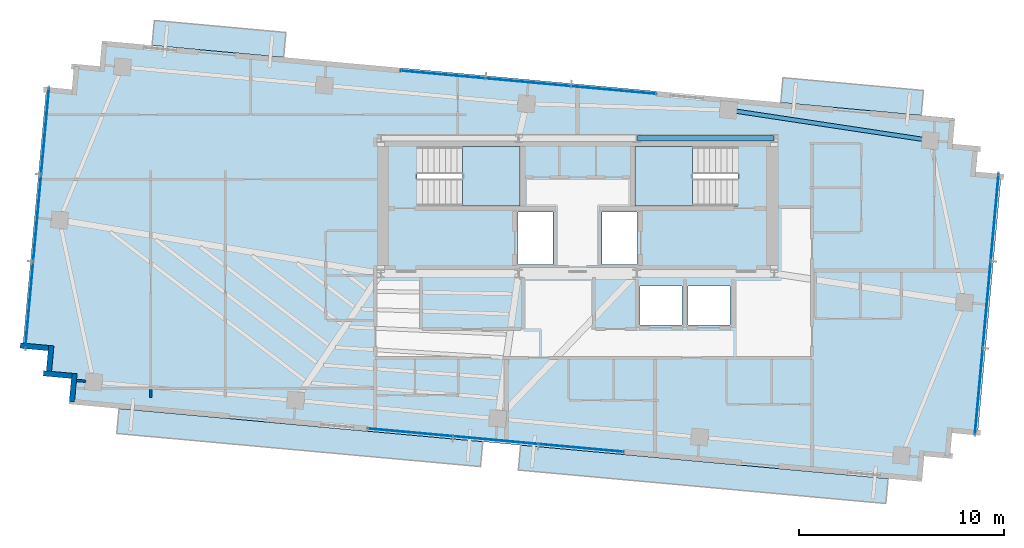
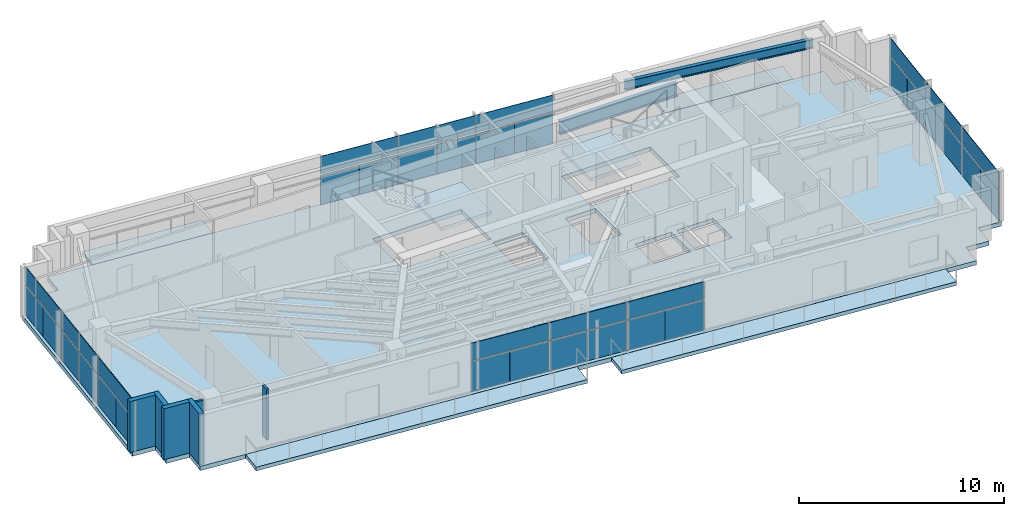
# One storey, part 15 of 22: 36 plates, 7 slabs, 6 walls, 2 beams, 6 elements without a shape of their own.
"""IFC4 building model written with IfcOpenShell, lengths in metres."""

from ifc_helpers import new_model, si_unit, direction, frame, frame_2d, origin, origin_2d, place, context, subcontext, project, spatial, polyline, rectangle, i_section, outline, extrude, source, transform, mapped, material, layer, layer_set, material_profile, profile_set, type_object, type_shapes, element, aggregate, save


model = new_model("IFC4")

# Units and contexts
model_context = context("Model", 3, precision=1e-05, world=origin(), true_north=direction((0.0, 1.0)))
body_context = subcontext(model_context, "Body", "Model", "MODEL_VIEW")
ifc_project = project(units=[si_unit("LENGTHUNIT", "METRE"), si_unit("AREAUNIT", "SQUARE_METRE"), si_unit("VOLUMEUNIT", "CUBIC_METRE"), si_unit("PLANEANGLEUNIT", "RADIAN"), si_unit("MASSUNIT", "GRAM", prefix="KILO")], contexts=[model_context])

# Site, building, storey
site_placement = place(None, origin())
site = spatial("IfcSite", under=ifc_project, at=site_placement, CompositionType="ELEMENT")
building_placement = place(site_placement, origin())
building = spatial("IfcBuilding", under=site, at=building_placement, Name="Astriad Promenade Condominiums", CompositionType="ELEMENT")
storey_placement = place(building_placement, frame((0.0, 0.0, 233.10009765625)))
storey = spatial("IfcBuildingStorey", under=building, at=storey_placement, Name="L67", CompositionType="ELEMENT", Elevation=233.10009765625)

# Beams
ifc_material_1 = material(Name="Steel ASTM A992 Grade 50", Category="steel")
ifc_material_profile_1 = material_profile(ifc_material_1, i_section(OverallWidth=0.267822265625, OverallDepth=0.76953125, WebThickness=0.015625, FlangeThickness=0.025390625, FilletRadius=0.021484375, at=origin_2d()), Name="W30X132")
ifc_profile_set_1 = profile_set([ifc_material_profile_1], Name="Steel ASTM A992 Grade 50")
beam_type_1 = type_object("IfcBeamType", Name="STEEL FLOOR GIRDER W30X132", PredefinedType="BEAM", material=ifc_profile_set_1)
shared_shape_1 = source(origin(), body_context, "Body", "SweptSolid", [
    extrude(i_section(OverallWidth=0.267822265625, OverallDepth=0.76953125, WebThickness=0.015625, FlangeThickness=0.025390625, FilletRadius=0.021484375, at=origin_2d()), origin(), (0.0, 0.0, 1.0), 6.64013671875),
])
type_shapes(beam_type_1, [shared_shape_1])
beam_1_placement = place(storey_placement, frame((38.919921875, 24.0, 2.655029296875), z_axis=(1.0, 0.0, 0.0), x_axis=(0.0, 1.0, 0.0)))
element("IfcBeam", 1, at=beam_1_placement, inside=storey, type_object=beam_type_1, Name="Core Ring Beam CG-N3-L67", PredefinedType="BEAM", context=body_context, shape_type="MappedRepresentation", body=[
    mapped(shared_shape_1, transform((0.0, 0.0, 0.0), scale=1.0)),
])
ifc_material_profile_2 = material_profile(ifc_material_1, i_section(OverallWidth=0.210693359375, OverallDepth=0.53955078125, WebThickness=0.01171875, FlangeThickness=0.018798828125, FilletRadius=0.0166015625, at=origin_2d()), Name="W21X73")
ifc_profile_set_2 = profile_set([ifc_material_profile_2], Name="Steel ASTM A992 Grade 50")
beam_type_2 = type_object("IfcBeamType", Name="STEEL SPANDREL BEAM W21X73", PredefinedType="SPANDREL", material=ifc_profile_set_2)
shared_shape_2 = source(origin(), body_context, "Body", "SweptSolid", [
    extrude(i_section(OverallWidth=0.210693359375, OverallDepth=0.53955078125, WebThickness=0.01171875, FlangeThickness=0.018798828125, FilletRadius=0.0166015625, at=origin_2d()), origin(), (0.0, 0.0, 1.0), 9.890869140625),
])
type_shapes(beam_type_2, [shared_shape_2])
beam_2_placement = place(storey_placement, frame((53.1787109375, 23.899658203125, 2.77001953125), z_axis=(-0.988827455442, 0.149064628143, 0.0), x_axis=(-0.149064628143, -0.988827455442, 0.0)))
element("IfcBeam", 2, at=beam_2_placement, inside=storey, type_object=beam_type_2, Name="Perimeter Spandrel Beam SP-N4-L67", PredefinedType="SPANDREL", context=body_context, shape_type="MappedRepresentation", body=[
    mapped(shared_shape_2, transform((0.0, 0.0, 0.0), scale=1.0)),
])

# Slab
ifc_material_2 = material(Name="Concrete C50/60", Category="concrete")
ifc_layer_1 = layer(ifc_material_2, 0.260009765625)
ifc_layer_set_1 = layer_set([ifc_layer_1], Name="Concrete C50/60")
slab_type_1 = type_object("IfcSlabType", Name="CONCRETE TOWER FLOOR SLAB 260", PredefinedType="FLOOR", material=ifc_layer_set_1)
slab_1_placement = place(storey_placement, frame((0.0, 0.0, -0.260009765625)))
element("IfcSlab", 3, at=slab_1_placement, inside=storey, type_object=slab_type_1, Name="Structural Floor Slab (L67)", PredefinedType="FLOOR", context=body_context, shape_type="SweptSolid", body=[
    extrude(outline(polyline([(11.179443359375, 11.03076171875), (52.807373046875, 7.242431640625), (52.920654296875, 8.4873046875), (54.16552734375, 8.3740234375), (54.27880859375, 9.618896484375), (55.523681640625, 9.505615234375), (56.68359375, 22.2529296875), (55.43896484375, 22.3662109375), (55.55224609375, 23.611083984375), (54.307373046875, 23.724365234375), (54.420654296875, 24.96923828125), (12.79248046875, 28.757568359375), (12.679443359375, 27.5126953125), (11.4345703125, 27.6259765625), (11.3212890625, 26.381103515625), (10.076416015625, 26.494384765625), (8.916259765625, 13.7470703125), (10.1611328125, 13.6337890625), (10.0478515625, 12.388916015625), (11.292724609375, 12.275634765625), (11.179443359375, 11.03076171875)]), holes=[polyline([(28.175048828125, 20.699951171875), (33.175048828125, 20.699951171875), (33.175048828125, 23.60009765625), (28.175048828125, 23.60009765625), (28.175048828125, 20.699951171875)]), polyline([(38.824951171875, 20.699951171875), (43.824951171875, 20.699951171875), (43.824951171875, 23.60009765625), (38.824951171875, 23.60009765625), (38.824951171875, 20.699951171875)]), polyline([(33.10009765625, 17.85009765625), (34.800048828125, 17.85009765625), (34.800048828125, 20.39990234375), (33.10009765625, 20.39990234375), (33.10009765625, 17.85009765625)]), polyline([(37.199951171875, 17.85009765625), (38.89990234375, 17.85009765625), (38.89990234375, 20.39990234375), (37.199951171875, 20.39990234375), (37.199951171875, 17.85009765625)]), polyline([(39.050048828125, 14.89990234375), (41.10009765625, 14.89990234375), (41.10009765625, 16.800048828125), (39.050048828125, 16.800048828125), (39.050048828125, 14.89990234375)]), polyline([(41.39990234375, 14.89990234375), (43.449951171875, 14.89990234375), (43.449951171875, 16.800048828125), (41.39990234375, 16.800048828125), (41.39990234375, 14.89990234375)])]), origin(), (0.0, 0.0, 1.0), 0.260009765625),
])

# Stair, slab
stair_type = type_object("IfcStairType", Name="STR-CORE-1350", PredefinedType="HALF_TURN_STAIR", material=ifc_material_2)
stair_1_placement = place(storey_placement, origin())
stair_1 = element("IfcStair", 4, at=stair_1_placement, inside=storey, type_object=stair_type, Name="L67 Enclosed Core Exit Stair ST-1", PredefinedType="HALF_TURN_STAIR")
ifc_layer_2 = layer(ifc_material_2, 0.219970703125)
ifc_layer_set_2 = layer_set([ifc_layer_2], Name="Concrete C50/60")
slab_type_2 = type_object("IfcSlabType", Name="SLB-LANDING-220", PredefinedType="LANDING", material=ifc_layer_set_2)
slab_2_placement = place(storey_placement, frame((0.0, 0.0, 1.449951171875)))
slab_2 = element("IfcSlab", 5, at=slab_2_placement, type_object=slab_type_2, Name="ST-1 landing 1", PredefinedType="LANDING", context=body_context, shape_type="SweptSolid", body=[
    extrude(outline(polyline([(30.389892578125, 20.699951171875), (33.199951171875, 20.699951171875), (33.199951171875, 23.60009765625), (30.389892578125, 23.60009765625), (30.389892578125, 20.699951171875)])), origin(), (0.0, 0.0, 1.0), 0.199951171875),
])
aggregate(stair_1, [slab_2])

stair_2_placement = place(storey_placement, origin())
stair_2 = element("IfcStair", 6, at=stair_2_placement, inside=storey, type_object=stair_type, Name="L67 Enclosed Core Exit Stair ST-2", PredefinedType="HALF_TURN_STAIR")
slab_3_placement = place(storey_placement, frame((0.0, 0.0, 1.449951171875)))
slab_3 = element("IfcSlab", 7, at=slab_3_placement, type_object=slab_type_2, Name="ST-2 landing 1", PredefinedType="LANDING", context=body_context, shape_type="SweptSolid", body=[
    extrude(outline(polyline([(41.610107421875, 23.60009765625), (38.800048828125, 23.60009765625), (38.800048828125, 20.699951171875), (41.610107421875, 20.699951171875), (41.610107421875, 23.60009765625)])), origin(), (0.0, 0.0, 1.0), 0.199951171875),
])
aggregate(stair_2, [slab_3])

# Slabs
ifc_material_3 = material(Name="Precast concrete C50/60", Category="concrete")
ifc_layer_3 = layer(ifc_material_3, 0.219970703125)
ifc_layer_set_3 = layer_set([ifc_layer_3], Name="Precast concrete C50/60")
slab_type_3 = type_object("IfcSlabType", Name="WHITE PRECAST CONCRETE WAVE BALCONY SLAB 220", PredefinedType="FLOOR", material=ifc_layer_set_3)
slab_4_placement = place(storey_placement, frame((0.0, 0.0, -0.22021484375)))
element("IfcSlab", 8, at=slab_4_placement, inside=storey, type_object=slab_type_3, Name="White Precast Wave Balcony Slab BAL-L67-SW", PredefinedType="FLOOR", context=body_context, shape_type="SweptSolid", body=[
    extrude(outline(polyline([(31.262451171875, 7.97802734375), (13.5078125, 9.593994140625), (13.6181640625, 10.806884765625), (31.372802734375, 9.191162109375), (31.262451171875, 7.97802734375)])), origin(), (0.0, 0.0, 1.0), 0.22021484375),
])
slab_5_placement = place(storey_placement, frame((0.0, 0.0, -0.22021484375)))
element("IfcSlab", 9, at=slab_5_placement, inside=storey, type_object=slab_type_3, Name="White Precast Wave Balcony Slab BAL-L67-SE", PredefinedType="FLOOR", context=body_context, shape_type="SweptSolid", body=[
    extrude(outline(polyline([(51.046630859375, 6.177490234375), (33.109619140625, 7.81005859375), (33.22021484375, 9.02294921875), (51.156982421875, 7.390625), (51.046630859375, 6.177490234375)])), origin(), (0.0, 0.0, 1.0), 0.22021484375),
])
slab_6_placement = place(storey_placement, frame((0.0, 0.0, -0.22021484375)))
element("IfcSlab", 10, at=slab_6_placement, inside=storey, type_object=slab_type_3, Name="White Precast Wave Balcony Slab BAL-L67-NW", PredefinedType="FLOOR", context=body_context, shape_type="SweptSolid", body=[
    extrude(outline(polyline([(15.342041015625, 29.75048828125), (21.7666015625, 29.166015625), (21.65625, 27.952880859375), (15.231689453125, 28.53759765625), (15.342041015625, 29.75048828125)])), origin(), (0.0, 0.0, 1.0), 0.22021484375),
])
slab_7_placement = place(storey_placement, frame((0.0, 0.0, -0.22021484375)))
element("IfcSlab", 11, at=slab_7_placement, inside=storey, type_object=slab_type_3, Name="White Precast Wave Balcony Slab BAL-L67-NE", PredefinedType="FLOOR", context=body_context, shape_type="SweptSolid", body=[
    extrude(outline(polyline([(46.0263671875, 26.9580078125), (52.881103515625, 26.334228515625), (52.7705078125, 25.121337890625), (45.916015625, 25.7451171875), (46.0263671875, 26.9580078125)])), origin(), (0.0, 0.0, 1.0), 0.22021484375),
])

# Curtain wall, plates
ifc_material_4 = material(Name="Anodised aluminium Black Dark Glass Unitised", Category="aluminium")
curtain_wall_type = type_object("IfcCurtainWallType", Name="CW-B5-DARK", PredefinedType="USERDEFINED", material=ifc_material_4)
curtain_wall_1_placement = place(storey_placement, origin())
curtain_wall_1 = element("IfcCurtainWall", 12, at=curtain_wall_1_placement, inside=storey, type_object=curtain_wall_type, Name="CW-L67-W", ObjectType="UNITISED_CURTAIN_WALL", PredefinedType="USERDEFINED")
ifc_material_5 = material(Name="Dark Tinted Low-E Laminated Glass", Category="glass")
ifc_layer_4 = layer(ifc_material_5, 0.035888671875)
ifc_layer_set_4 = layer_set([ifc_layer_4], Name="Dark Tinted Low-E Laminated Glass")
plate_type = type_object("IfcPlateType", Name="PNL-DARK-GLASS-36", PredefinedType="CURTAIN_PANEL", material=ifc_layer_set_4)
shared_shape_3 = source(origin(), body_context, "Body", "SweptSolid", [
    extrude(rectangle(XDim=2.121337890625, YDim=0.035888671875, at=origin_2d()), origin(), (0.0, 0.0, 1.0), 1.764892578125),
])
plate_1_placement = place(storey_placement, frame((9.142578125, 14.797607421875, 0.080078125), z_axis=(0.0, 0.0, 1.0), x_axis=(0.090632580198, 0.995884398616, 0.0)))
plate_1 = element("IfcPlate", 13, at=plate_1_placement, type_object=plate_type, Name="CW-L67-W-PNL-00-VL", PredefinedType="CURTAIN_PANEL", context=body_context, shape_type="MappedRepresentation", body=[
    mapped(shared_shape_3, transform((0.0, 0.0, 0.0), scale=1.0)),
])
plate_2_placement = place(storey_placement, frame((9.335693359375, 16.922119140625, 0.080078125), z_axis=(0.0, 0.0, 1.0), x_axis=(0.090632580198, 0.995884398616, 0.0)))
plate_2 = element("IfcPlate", 14, at=plate_2_placement, type_object=plate_type, Name="CW-L67-W-PNL-00-VR", PredefinedType="CURTAIN_PANEL", context=body_context, shape_type="MappedRepresentation", body=[
    mapped(shared_shape_3, transform((0.0, 0.0, 0.0), scale=1.0)),
])
plate_3_placement = place(storey_placement, frame((9.529296875, 19.046630859375, 0.080078125), z_axis=(0.0, 0.0, 1.0), x_axis=(0.090632580198, 0.995884398616, 0.0)))
plate_3 = element("IfcPlate", 15, at=plate_3_placement, type_object=plate_type, Name="CW-L67-W-PNL-01-VL", PredefinedType="CURTAIN_PANEL", context=body_context, shape_type="MappedRepresentation", body=[
    mapped(shared_shape_3, transform((0.0, 0.0, 0.0), scale=1.0)),
])
plate_4_placement = place(storey_placement, frame((9.722412109375, 21.17138671875, 0.080078125), z_axis=(0.0, 0.0, 1.0), x_axis=(0.090632580198, 0.995884398616, 0.0)))
plate_4 = element("IfcPlate", 16, at=plate_4_placement, type_object=plate_type, Name="CW-L67-W-PNL-01-VR", PredefinedType="CURTAIN_PANEL", context=body_context, shape_type="MappedRepresentation", body=[
    mapped(shared_shape_3, transform((0.0, 0.0, 0.0), scale=1.0)),
])
plate_5_placement = place(storey_placement, frame((9.916015625, 23.2958984375, 0.080078125), z_axis=(0.0, 0.0, 1.0), x_axis=(0.090632580198, 0.995884398616, 0.0)))
plate_5 = element("IfcPlate", 17, at=plate_5_placement, type_object=plate_type, Name="CW-L67-W-PNL-02-VL", PredefinedType="CURTAIN_PANEL", context=body_context, shape_type="MappedRepresentation", body=[
    mapped(shared_shape_3, transform((0.0, 0.0, 0.0), scale=1.0)),
])
plate_6_placement = place(storey_placement, frame((10.109130859375, 25.42041015625, 0.080078125), z_axis=(0.0, 0.0, 1.0), x_axis=(0.090632580198, 0.995884398616, 0.0)))
plate_6 = element("IfcPlate", 18, at=plate_6_placement, type_object=plate_type, Name="CW-L67-W-PNL-02-VR", PredefinedType="CURTAIN_PANEL", context=body_context, shape_type="MappedRepresentation", body=[
    mapped(shared_shape_3, transform((0.0, 0.0, 0.0), scale=1.0)),
])

curtain_wall_2_placement = place(storey_placement, origin())
curtain_wall_2 = element("IfcCurtainWall", 19, at=curtain_wall_2_placement, inside=storey, type_object=curtain_wall_type, Name="CW-L67-E", ObjectType="UNITISED_CURTAIN_WALL", PredefinedType="USERDEFINED")
plate_7_placement = place(storey_placement, frame((56.45751953125, 21.202392578125, 0.080078125), z_axis=(0.0, 0.0, 1.0), x_axis=(-0.090632580198, -0.995884398616, 0.0)))
plate_7 = element("IfcPlate", 20, at=plate_7_placement, type_object=plate_type, Name="CW-L67-E-PNL-00-VL", PredefinedType="CURTAIN_PANEL", context=body_context, shape_type="MappedRepresentation", body=[
    mapped(shared_shape_3, transform((0.0, 0.0, 0.0), scale=1.0)),
])
plate_8_placement = place(storey_placement, frame((56.26416015625, 19.077880859375, 0.080078125), z_axis=(0.0, 0.0, 1.0), x_axis=(-0.090632580198, -0.995884398616, 0.0)))
plate_8 = element("IfcPlate", 21, at=plate_8_placement, type_object=plate_type, Name="CW-L67-E-PNL-00-VR", PredefinedType="CURTAIN_PANEL", context=body_context, shape_type="MappedRepresentation", body=[
    mapped(shared_shape_3, transform((0.0, 0.0, 0.0), scale=1.0)),
])
plate_9_placement = place(storey_placement, frame((56.07080078125, 16.953369140625, 0.080078125), z_axis=(0.0, 0.0, 1.0), x_axis=(-0.090632580198, -0.995884398616, 0.0)))
plate_9 = element("IfcPlate", 22, at=plate_9_placement, type_object=plate_type, Name="CW-L67-E-PNL-01-VL", PredefinedType="CURTAIN_PANEL", context=body_context, shape_type="MappedRepresentation", body=[
    mapped(shared_shape_3, transform((0.0, 0.0, 0.0), scale=1.0)),
])
plate_10_placement = place(storey_placement, frame((55.87744140625, 14.82861328125, 0.080078125), z_axis=(0.0, 0.0, 1.0), x_axis=(-0.090632580198, -0.995884398616, 0.0)))
plate_10 = element("IfcPlate", 23, at=plate_10_placement, type_object=plate_type, Name="CW-L67-E-PNL-01-VR", PredefinedType="CURTAIN_PANEL", context=body_context, shape_type="MappedRepresentation", body=[
    mapped(shared_shape_3, transform((0.0, 0.0, 0.0), scale=1.0)),
])
plate_11_placement = place(storey_placement, frame((55.68408203125, 12.7041015625, 0.080078125), z_axis=(0.0, 0.0, 1.0), x_axis=(-0.090632580198, -0.995884398616, 0.0)))
plate_11 = element("IfcPlate", 24, at=plate_11_placement, type_object=plate_type, Name="CW-L67-E-PNL-02-VL", PredefinedType="CURTAIN_PANEL", context=body_context, shape_type="MappedRepresentation", body=[
    mapped(shared_shape_3, transform((0.0, 0.0, 0.0), scale=1.0)),
])
plate_12_placement = place(storey_placement, frame((55.49072265625, 10.57958984375, 0.080078125), z_axis=(0.0, 0.0, 1.0), x_axis=(-0.090632580198, -0.995884398616, 0.0)))
plate_12 = element("IfcPlate", 25, at=plate_12_placement, type_object=plate_type, Name="CW-L67-E-PNL-02-VR", PredefinedType="CURTAIN_PANEL", context=body_context, shape_type="MappedRepresentation", body=[
    mapped(shared_shape_3, transform((0.0, 0.0, 0.0), scale=1.0)),
])

# Plate
shared_shape_4 = source(origin(), body_context, "Body", "SweptSolid", [
    extrude(rectangle(XDim=4.254638671875, YDim=0.035888671875, at=origin_2d()), origin(), (0.0, 0.0, 1.0), 1.03515625),
])
plate_13_placement = place(storey_placement, frame((9.239013671875, 15.85986328125, 1.9248046875), z_axis=(0.0, 0.0, 1.0), x_axis=(0.090632580198, 0.995884398616, 0.0)))
plate_13 = element("IfcPlate", 26, at=plate_13_placement, type_object=plate_type, Name="CW-L67-W-PNL-00-S", PredefinedType="CURTAIN_PANEL", context=body_context, shape_type="MappedRepresentation", body=[
    mapped(shared_shape_4, transform((0.0, 0.0, 0.0), scale=1.0)),
])

plate_14_placement = place(storey_placement, frame((9.625732421875, 20.10888671875, 1.9248046875), z_axis=(0.0, 0.0, 1.0), x_axis=(0.090632580198, 0.995884398616, 0.0)))
plate_14 = element("IfcPlate", 27, at=plate_14_placement, type_object=plate_type, Name="CW-L67-W-PNL-01-S", PredefinedType="CURTAIN_PANEL", context=body_context, shape_type="MappedRepresentation", body=[
    mapped(shared_shape_4, transform((0.0, 0.0, 0.0), scale=1.0)),
])

plate_15_placement = place(storey_placement, frame((10.0126953125, 24.358154296875, 1.9248046875), z_axis=(0.0, 0.0, 1.0), x_axis=(0.090632580198, 0.995884398616, 0.0)))
plate_15 = element("IfcPlate", 28, at=plate_15_placement, type_object=plate_type, Name="CW-L67-W-PNL-02-S", PredefinedType="CURTAIN_PANEL", context=body_context, shape_type="MappedRepresentation", body=[
    mapped(shared_shape_4, transform((0.0, 0.0, 0.0), scale=1.0)),
])

aggregate(curtain_wall_1, [plate_1, plate_2, plate_13, plate_3, plate_4, plate_14, plate_5, plate_6, plate_15])

plate_16_placement = place(storey_placement, frame((56.36083984375, 20.14013671875, 1.9248046875), z_axis=(0.0, 0.0, 1.0), x_axis=(-0.090632580198, -0.995884398616, 0.0)))
plate_16 = element("IfcPlate", 29, at=plate_16_placement, type_object=plate_type, Name="CW-L67-E-PNL-00-S", PredefinedType="CURTAIN_PANEL", context=body_context, shape_type="MappedRepresentation", body=[
    mapped(shared_shape_4, transform((0.0, 0.0, 0.0), scale=1.0)),
])

plate_17_placement = place(storey_placement, frame((55.97412109375, 15.89111328125, 1.9248046875), z_axis=(0.0, 0.0, 1.0), x_axis=(-0.090632580198, -0.995884398616, 0.0)))
plate_17 = element("IfcPlate", 30, at=plate_17_placement, type_object=plate_type, Name="CW-L67-E-PNL-01-S", PredefinedType="CURTAIN_PANEL", context=body_context, shape_type="MappedRepresentation", body=[
    mapped(shared_shape_4, transform((0.0, 0.0, 0.0), scale=1.0)),
])

plate_18_placement = place(storey_placement, frame((55.58740234375, 11.641845703125, 1.9248046875), z_axis=(0.0, 0.0, 1.0), x_axis=(-0.090632580198, -0.995884398616, 0.0)))
plate_18 = element("IfcPlate", 31, at=plate_18_placement, type_object=plate_type, Name="CW-L67-E-PNL-02-S", PredefinedType="CURTAIN_PANEL", context=body_context, shape_type="MappedRepresentation", body=[
    mapped(shared_shape_4, transform((0.0, 0.0, 0.0), scale=1.0)),
])

aggregate(curtain_wall_2, [plate_7, plate_8, plate_16, plate_9, plate_10, plate_17, plate_11, plate_12, plate_18])

# Curtain wall, plates
curtain_wall_3_placement = place(storey_placement, origin())
curtain_wall_3 = element("IfcCurtainWall", 32, at=curtain_wall_3_placement, inside=storey, type_object=curtain_wall_type, Name="CW-L67-N", ObjectType="UNITISED_CURTAIN_WALL", PredefinedType="USERDEFINED")
shared_shape_5 = source(origin(), body_context, "Body", "SweptSolid", [
    extrude(rectangle(XDim=2.077880859375, YDim=0.035888671875, at=origin_2d()), origin(), (0.0, 0.0, 1.0), 1.764892578125),
])
plate_19_placement = place(storey_placement, frame((28.391357421875, 27.20751953125, 0.080078125), z_axis=(0.0, 0.0, 1.0), x_axis=(0.995884398616, -0.090632580198, 0.0)))
plate_19 = element("IfcPlate", 33, at=plate_19_placement, type_object=plate_type, Name="CW-L67-N-PNL-00-VL", PredefinedType="CURTAIN_PANEL", context=body_context, shape_type="MappedRepresentation", body=[
    mapped(shared_shape_5, transform((0.0, 0.0, 0.0), scale=1.0)),
])
plate_20_placement = place(storey_placement, frame((30.47265625, 27.01806640625, 0.080078125), z_axis=(0.0, 0.0, 1.0), x_axis=(0.995884398616, -0.090632580198, 0.0)))
plate_20 = element("IfcPlate", 34, at=plate_20_placement, type_object=plate_type, Name="CW-L67-N-PNL-00-VR", PredefinedType="CURTAIN_PANEL", context=body_context, shape_type="MappedRepresentation", body=[
    mapped(shared_shape_5, transform((0.0, 0.0, 0.0), scale=1.0)),
])
plate_21_placement = place(storey_placement, frame((32.55419921875, 26.82861328125, 0.080078125), z_axis=(0.0, 0.0, 1.0), x_axis=(0.995884398616, -0.090632580198, 0.0)))
plate_21 = element("IfcPlate", 35, at=plate_21_placement, type_object=plate_type, Name="CW-L67-N-PNL-01-VL", PredefinedType="CURTAIN_PANEL", context=body_context, shape_type="MappedRepresentation", body=[
    mapped(shared_shape_5, transform((0.0, 0.0, 0.0), scale=1.0)),
])
plate_22_placement = place(storey_placement, frame((34.635498046875, 26.63916015625, 0.080078125), z_axis=(0.0, 0.0, 1.0), x_axis=(0.995884398616, -0.090632580198, 0.0)))
plate_22 = element("IfcPlate", 36, at=plate_22_placement, type_object=plate_type, Name="CW-L67-N-PNL-01-VR", PredefinedType="CURTAIN_PANEL", context=body_context, shape_type="MappedRepresentation", body=[
    mapped(shared_shape_5, transform((0.0, 0.0, 0.0), scale=1.0)),
])
plate_23_placement = place(storey_placement, frame((36.716796875, 26.44970703125, 0.080078125), z_axis=(0.0, 0.0, 1.0), x_axis=(0.995884398616, -0.090632580198, 0.0)))
plate_23 = element("IfcPlate", 37, at=plate_23_placement, type_object=plate_type, Name="CW-L67-N-PNL-02-VL", PredefinedType="CURTAIN_PANEL", context=body_context, shape_type="MappedRepresentation", body=[
    mapped(shared_shape_5, transform((0.0, 0.0, 0.0), scale=1.0)),
])
plate_24_placement = place(storey_placement, frame((38.79833984375, 26.26025390625, 0.080078125), z_axis=(0.0, 0.0, 1.0), x_axis=(0.995884398616, -0.090632580198, 0.0)))
plate_24 = element("IfcPlate", 38, at=plate_24_placement, type_object=plate_type, Name="CW-L67-N-PNL-02-VR", PredefinedType="CURTAIN_PANEL", context=body_context, shape_type="MappedRepresentation", body=[
    mapped(shared_shape_5, transform((0.0, 0.0, 0.0), scale=1.0)),
])

curtain_wall_4_placement = place(storey_placement, origin())
curtain_wall_4 = element("IfcCurtainWall", 39, at=curtain_wall_4_placement, inside=storey, type_object=curtain_wall_type, Name="CW-L67-S", ObjectType="UNITISED_CURTAIN_WALL", PredefinedType="USERDEFINED")
plate_25_placement = place(storey_placement, frame((37.208740234375, 8.79248046875, 0.080078125), z_axis=(0.0, 0.0, 1.0), x_axis=(-0.995884398616, 0.090632580198, 0.0)))
plate_25 = element("IfcPlate", 40, at=plate_25_placement, type_object=plate_type, Name="CW-L67-S-PNL-00-VL", PredefinedType="CURTAIN_PANEL", context=body_context, shape_type="MappedRepresentation", body=[
    mapped(shared_shape_5, transform((0.0, 0.0, 0.0), scale=1.0)),
])
plate_26_placement = place(storey_placement, frame((35.127197265625, 8.98193359375, 0.080078125), z_axis=(0.0, 0.0, 1.0), x_axis=(-0.995884398616, 0.090632580198, 0.0)))
plate_26 = element("IfcPlate", 41, at=plate_26_placement, type_object=plate_type, Name="CW-L67-S-PNL-00-VR", PredefinedType="CURTAIN_PANEL", context=body_context, shape_type="MappedRepresentation", body=[
    mapped(shared_shape_5, transform((0.0, 0.0, 0.0), scale=1.0)),
])
plate_27_placement = place(storey_placement, frame((33.0458984375, 9.17138671875, 0.080078125), z_axis=(0.0, 0.0, 1.0), x_axis=(-0.995884398616, 0.090632580198, 0.0)))
plate_27 = element("IfcPlate", 42, at=plate_27_placement, type_object=plate_type, Name="CW-L67-S-PNL-01-VL", PredefinedType="CURTAIN_PANEL", context=body_context, shape_type="MappedRepresentation", body=[
    mapped(shared_shape_5, transform((0.0, 0.0, 0.0), scale=1.0)),
])
plate_28_placement = place(storey_placement, frame((30.964599609375, 9.36083984375, 0.080078125), z_axis=(0.0, 0.0, 1.0), x_axis=(-0.995884398616, 0.090632580198, 0.0)))
plate_28 = element("IfcPlate", 43, at=plate_28_placement, type_object=plate_type, Name="CW-L67-S-PNL-01-VR", PredefinedType="CURTAIN_PANEL", context=body_context, shape_type="MappedRepresentation", body=[
    mapped(shared_shape_5, transform((0.0, 0.0, 0.0), scale=1.0)),
])
plate_29_placement = place(storey_placement, frame((28.883056640625, 9.55029296875, 0.080078125), z_axis=(0.0, 0.0, 1.0), x_axis=(-0.995884398616, 0.090632580198, 0.0)))
plate_29 = element("IfcPlate", 44, at=plate_29_placement, type_object=plate_type, Name="CW-L67-S-PNL-02-VL", PredefinedType="CURTAIN_PANEL", context=body_context, shape_type="MappedRepresentation", body=[
    mapped(shared_shape_5, transform((0.0, 0.0, 0.0), scale=1.0)),
])
plate_30_placement = place(storey_placement, frame((26.8017578125, 9.73974609375, 0.080078125), z_axis=(0.0, 0.0, 1.0), x_axis=(-0.995884398616, 0.090632580198, 0.0)))
plate_30 = element("IfcPlate", 45, at=plate_30_placement, type_object=plate_type, Name="CW-L67-S-PNL-02-VR", PredefinedType="CURTAIN_PANEL", context=body_context, shape_type="MappedRepresentation", body=[
    mapped(shared_shape_5, transform((0.0, 0.0, 0.0), scale=1.0)),
])

# Plate
shared_shape_6 = source(origin(), body_context, "Body", "SweptSolid", [
    extrude(rectangle(XDim=4.16796875, YDim=0.035888671875, at=origin_2d()), origin(), (0.0, 0.0, 1.0), 1.03515625),
])
type_shapes(plate_type, [shared_shape_3, shared_shape_4, shared_shape_5, shared_shape_6])
plate_31_placement = place(storey_placement, frame((29.431884765625, 27.11279296875, 1.9248046875), z_axis=(0.0, 0.0, 1.0), x_axis=(0.995884398616, -0.090632580198, 0.0)))
plate_31 = element("IfcPlate", 46, at=plate_31_placement, type_object=plate_type, Name="CW-L67-N-PNL-00-S", PredefinedType="CURTAIN_PANEL", context=body_context, shape_type="MappedRepresentation", body=[
    mapped(shared_shape_6, transform((0.0, 0.0, 0.0), scale=1.0)),
])

plate_32_placement = place(storey_placement, frame((33.5947265625, 26.73388671875, 1.9248046875), z_axis=(0.0, 0.0, 1.0), x_axis=(0.995884398616, -0.090632580198, 0.0)))
plate_32 = element("IfcPlate", 47, at=plate_32_placement, type_object=plate_type, Name="CW-L67-N-PNL-01-S", PredefinedType="CURTAIN_PANEL", context=body_context, shape_type="MappedRepresentation", body=[
    mapped(shared_shape_6, transform((0.0, 0.0, 0.0), scale=1.0)),
])

plate_33_placement = place(storey_placement, frame((37.757568359375, 26.35498046875, 1.9248046875), z_axis=(0.0, 0.0, 1.0), x_axis=(0.995884398616, -0.090632580198, 0.0)))
plate_33 = element("IfcPlate", 48, at=plate_33_placement, type_object=plate_type, Name="CW-L67-N-PNL-02-S", PredefinedType="CURTAIN_PANEL", context=body_context, shape_type="MappedRepresentation", body=[
    mapped(shared_shape_6, transform((0.0, 0.0, 0.0), scale=1.0)),
])

aggregate(curtain_wall_3, [plate_19, plate_20, plate_31, plate_21, plate_22, plate_32, plate_23, plate_24, plate_33])

plate_34_placement = place(storey_placement, frame((36.16796875, 8.88720703125, 1.9248046875), z_axis=(0.0, 0.0, 1.0), x_axis=(-0.995884398616, 0.090632580198, 0.0)))
plate_34 = element("IfcPlate", 49, at=plate_34_placement, type_object=plate_type, Name="CW-L67-S-PNL-00-S", PredefinedType="CURTAIN_PANEL", context=body_context, shape_type="MappedRepresentation", body=[
    mapped(shared_shape_6, transform((0.0, 0.0, 0.0), scale=1.0)),
])

plate_35_placement = place(storey_placement, frame((32.005126953125, 9.26611328125, 1.9248046875), z_axis=(0.0, 0.0, 1.0), x_axis=(-0.995884398616, 0.090632580198, 0.0)))
plate_35 = element("IfcPlate", 50, at=plate_35_placement, type_object=plate_type, Name="CW-L67-S-PNL-01-S", PredefinedType="CURTAIN_PANEL", context=body_context, shape_type="MappedRepresentation", body=[
    mapped(shared_shape_6, transform((0.0, 0.0, 0.0), scale=1.0)),
])

plate_36_placement = place(storey_placement, frame((27.84228515625, 9.64501953125, 1.9248046875), z_axis=(0.0, 0.0, 1.0), x_axis=(-0.995884398616, 0.090632580198, 0.0)))
plate_36 = element("IfcPlate", 51, at=plate_36_placement, type_object=plate_type, Name="CW-L67-S-PNL-02-S", PredefinedType="CURTAIN_PANEL", context=body_context, shape_type="MappedRepresentation", body=[
    mapped(shared_shape_6, transform((0.0, 0.0, 0.0), scale=1.0)),
])

aggregate(curtain_wall_4, [plate_25, plate_26, plate_34, plate_27, plate_28, plate_35, plate_29, plate_30, plate_36])

# Walls
ifc_layer_5 = layer(ifc_material_3, 0.260009765625)
ifc_layer_set_5 = layer_set([ifc_layer_5], Name="Precast concrete C50/60")
wall_type_1 = type_object("IfcWallType", Name="WALL-EXT-TWR-260", PredefinedType="STANDARD", material=ifc_layer_set_5)
wall_1_placement = place(storey_placement, frame((11.3193359375, 12.40380859375, 0.0), z_axis=(0.0, 0.0, 1.0), x_axis=(-0.995881721538, 0.090661991521, 0.0)))
element("IfcWall", 52, at=wall_1_placement, inside=storey, type_object=wall_type_1, Name="W-SER-L67-00", PredefinedType="STANDARD", context=body_context, shape_type="SweptSolid", body=[
    extrude(rectangle(XDim=1.39501953125, YDim=0.260009765625, at=frame_2d((0.697509765625, 0.0))), origin(), (0.0, 0.0, 1.0), 3.039794921875),
])
wall_2_placement = place(storey_placement, frame((10.187744140625, 12.49169921875, 0.0), z_axis=(0.0, 0.0, 1.0), x_axis=(0.090646191665, 0.995883159782, 0.0)))
element("IfcWall", 53, at=wall_2_placement, inside=storey, type_object=wall_type_1, Name="W-SER-L67-01", PredefinedType="STANDARD", context=body_context, shape_type="SweptSolid", body=[
    extrude(rectangle(XDim=1.395263671875, YDim=0.260009765625, at=frame_2d((0.69775390625, 0.0))), origin(), (0.0, 0.0, 1.0), 3.039794921875),
])
for number, where, z_axis, x_axis, name in (
    (54, (10.187744140625, 13.761962890625, 0.0), (0.0, 0.0, 1.0), (-0.995881721538, 0.090661991521, 0.0), "W-SER-L67-02"),
    (55, (11.3193359375, 11.133544921875, 0.0), (0.0, 0.0, 1.0), (0.090661991521, 0.995881721538, 0.0), "W-SER-L67-19"),
):
    element("IfcWall", number, at=place(storey_placement, frame(where, z_axis=z_axis, x_axis=x_axis)), inside=storey, type_object=wall_type_1, Name=name, PredefinedType="STANDARD", context=body_context, shape_type="SweptSolid", body=[
        extrude(rectangle(XDim=1.39501953125, YDim=0.260009765625, at=frame_2d((0.697509765625, 0.0))), origin(), (0.0, 0.0, 1.0), 3.039794921875),
    ])
ifc_material_6 = material(Name="Acoustic Metal-Stud Gypsum Partition")
ifc_layer_6 = layer(ifc_material_6, 0.1201171875)
ifc_layer_set_6 = layer_set([ifc_layer_6], Name="Acoustic Metal-Stud Gypsum Partition")
wall_type_2 = type_object("IfcWallType", Name="WALL-PART-120", PredefinedType="PARTITIONING", material=ifc_layer_set_6)
wall_3_placement = place(storey_placement, frame((15.172119140625, 11.35595703125, 0.0), z_axis=(0.0, 0.0, 1.0), x_axis=(0.0, 1.0, 0.0)))
element("IfcWall", 56, at=wall_3_placement, inside=storey, type_object=wall_type_2, Name="PT-L67-W1-WDV3", PredefinedType="PARTITIONING", context=body_context, shape_type="SweptSolid", body=[
    extrude(rectangle(XDim=0.3779296875, YDim=0.1201171875, at=frame_2d((0.18896484375, 0.0))), origin(), (0.0, 0.0, 1.0), 3.039794921875),
])
wall_4_placement = place(storey_placement, frame((12.00341796875, 12.140625, 0.0), z_axis=(0.0, 0.0, 1.0), x_axis=(-0.995884462012, 0.090631883588, 0.0)))
element("IfcWall", 57, at=wall_4_placement, inside=storey, type_object=wall_type_2, Name="PT-PIL-L67-PC01-8", PredefinedType="PARTITIONING", context=body_context, shape_type="SweptSolid", body=[
    extrude(rectangle(XDim=0.4580078125, YDim=0.1201171875, at=frame_2d((0.22900390625, 0.0))), origin(), (0.0, 0.0, 1.0), 3.039794921875),
])

save(model, "model.ifc")
